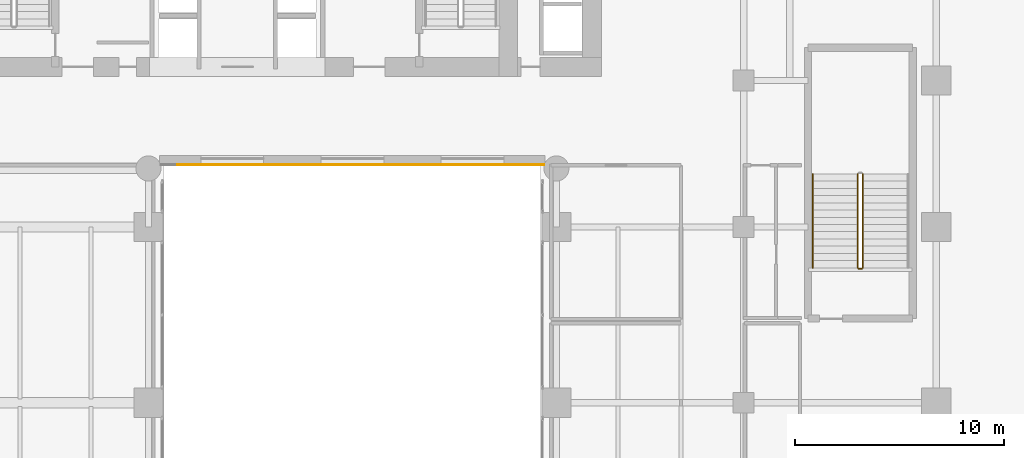
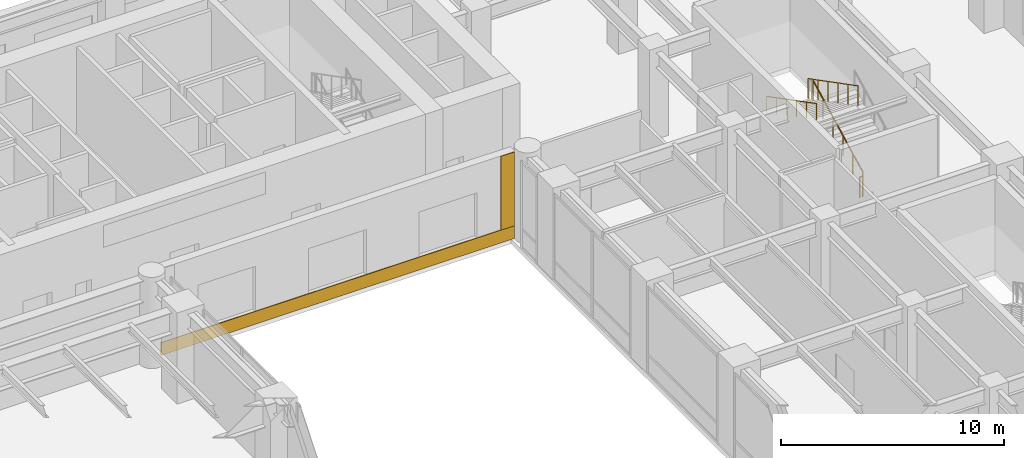
# One storey, part 19 of 24: 4 railings, 2 coverings.
"""IFC4 building model written with IfcOpenShell, lengths in metres."""

from ifc_helpers import new_model, si_unit, direction, frame, origin, origin_2d, place, context, subcontext, project, spatial, polyline, circle, outline, extrude, material, layer, layer_set, type_object, element, save


model = new_model("IFC4")

# Units and contexts
model_context = context("Model", 3, precision=1e-05, world=origin(), true_north=direction((0.0, 1.0)))
body_context = subcontext(model_context, "Body", "Model", "MODEL_VIEW")
ifc_project = project(units=[si_unit("LENGTHUNIT", "METRE"), si_unit("AREAUNIT", "SQUARE_METRE"), si_unit("VOLUMEUNIT", "CUBIC_METRE"), si_unit("PLANEANGLEUNIT", "RADIAN"), si_unit("MASSUNIT", "GRAM", prefix="KILO")], contexts=[model_context])

# Site, building, storey
site_placement = place(None, origin())
site = spatial("IfcSite", under=ifc_project, at=site_placement, CompositionType="ELEMENT")
building_placement = place(site_placement, origin())
building = spatial("IfcBuilding", under=site, at=building_placement, Name="Tolvann Quenvar Hotel", CompositionType="ELEMENT")
storey_placement = place(building_placement, frame((0.0, 0.0, 6.0)))
storey = spatial("IfcBuildingStorey", under=building, at=storey_placement, Name="L01", CompositionType="ELEMENT", Elevation=6.0)

# Coverings
ifc_material_1 = material(Name="Kiln-fired red architectural face brick cladding", Category="masonry")
ifc_layer_1 = layer(ifc_material_1, 0.0400390625)
ifc_layer_set_1 = layer_set([ifc_layer_1], Name="Kiln-fired red architectural face brick cladding")
covering_type_1 = type_object("IfcCoveringType", Name="COV_CLAD_BRICK_40", PredefinedType="CLADDING", material=ifc_layer_set_1)
covering_1_placement = place(storey_placement, frame((0.0, 0.0, 0.699951171875)))
element("IfcCovering", 1, at=covering_1_placement, inside=storey, type_object=covering_type_1, Name="Brick Pier Cladding (L01-E02-P2)", PredefinedType="CLADDING", context=body_context, shape_type="SweptSolid", body=[
    extrude(outline(polyline([(36.9599609375, 27.39990234375), (37.659912109375, 27.39990234375), (37.659912109375, 27.360107421875), (36.9599609375, 27.360107421875), (36.9599609375, 27.39990234375)])), origin(), (0.0, 0.0, 1.0), 4.0400390625),
])
ifc_material_2 = material(Name="Moulded buff architectural terracotta spandrel cladding", Category="masonry")
ifc_layer_2 = layer(ifc_material_2, 0.0400390625)
ifc_layer_set_2 = layer_set([ifc_layer_2], Name="Moulded buff architectural terracotta spandrel cladding")
covering_type_2 = type_object("IfcCoveringType", Name="COV_CLAD_TERRA_40", PredefinedType="CLADDING", material=ifc_layer_set_2)
covering_2_placement = place(storey_placement, origin())
element("IfcCovering", 2, at=covering_2_placement, inside=storey, type_object=covering_type_2, Name="Terracotta Spandrel Cladding (L01-E02)", PredefinedType="CLADDING", context=body_context, shape_type="SweptSolid", body=[
    extrude(outline(polyline([(19.330078125, 27.39990234375), (37.669921875, 27.39990234375), (37.669921875, 27.360107421875), (19.330078125, 27.360107421875), (19.330078125, 27.39990234375)])), origin(), (0.0, 0.0, 1.0), 0.699951171875),
])

# Railings
ifc_material_3 = material(Name="Brushed 316 stainless steel balustrade and handrail", Category="steel")
railing_type_1 = type_object("IfcRailingType", Name="GUARDRAIL", PredefinedType="GUARDRAIL", material=ifc_material_3)
railing_1_placement = place(storey_placement, frame((52.89990234375, 22.449951171875, 0.178466796875)))
element("IfcRailing", 3, at=railing_1_placement, inside=storey, type_object=railing_type_1, Name="L01 ST-P4 stair guard 1", PredefinedType="GUARDRAIL", context=body_context, shape_type="SweptSolid", body=[
    extrude(circle(Radius=0.02392578125, at=origin_2d()), frame((0.0, 0.0, 1.09619140625), z_axis=(0.0, 0.888084280779, 0.459680661147), x_axis=(-1.0, 0.0, 0.0)), (0.0, 0.0, 1.0), 5.05029296875),
    extrude(circle(Radius=0.02099609375, at=origin_2d()), origin(), (0.0, 0.0, 1.0), 1.072021484375),
    extrude(circle(Radius=0.02099609375, at=origin_2d()), frame((0.0, 0.89697265625, 0.46435546875)), (0.0, 0.0, 1.0), 1.072021484375),
    extrude(circle(Radius=0.02099609375, at=origin_2d()), frame((0.0, 1.7939453125, 0.9287109375)), (0.0, 0.0, 1.0), 1.072021484375),
    extrude(circle(Radius=0.02099609375, at=origin_2d()), frame((0.0, 2.691162109375, 1.392822265625)), (0.0, 0.0, 1.0), 1.072021484375),
    extrude(circle(Radius=0.02099609375, at=origin_2d()), frame((0.0, 3.588134765625, 1.857177734375)), (0.0, 0.0, 1.0), 1.072021484375),
    extrude(circle(Radius=0.02099609375, at=origin_2d()), frame((0.0, 4.485107421875, 2.321533203125)), (0.0, 0.0, 1.0), 1.072021484375),
])
railing_2_placement = place(storey_placement, frame((52.64990234375, 26.93505859375, 2.678466796875)))
element("IfcRailing", 4, at=railing_2_placement, inside=storey, type_object=railing_type_1, Name="L01 ST-P4 stair guard 3", PredefinedType="GUARDRAIL", context=body_context, shape_type="SweptSolid", body=[
    extrude(circle(Radius=0.02392578125, at=origin_2d()), frame((0.0, 0.0, 1.09619140625), z_axis=(0.0, -0.888084280779, 0.459680661147), x_axis=(1.0, 0.0, 0.0)), (0.0, 0.0, 1.0), 5.05029296875),
    extrude(circle(Radius=0.02099609375, at=origin_2d()), origin(), (0.0, 0.0, 1.0), 1.072021484375),
    extrude(circle(Radius=0.02099609375, at=origin_2d()), frame((0.0, -0.89697265625, 0.46435546875)), (0.0, 0.0, 1.0), 1.072021484375),
    extrude(circle(Radius=0.02099609375, at=origin_2d()), frame((0.0, -1.7939453125, 0.9287109375)), (0.0, 0.0, 1.0), 1.072021484375),
    extrude(circle(Radius=0.02099609375, at=origin_2d()), frame((0.0, -2.691162109375, 1.392822265625)), (0.0, 0.0, 1.0), 1.072021484375),
    extrude(circle(Radius=0.02099609375, at=origin_2d()), frame((0.0, -3.588134765625, 1.857177734375)), (0.0, 0.0, 1.0), 1.072021484375),
    extrude(circle(Radius=0.02099609375, at=origin_2d()), frame((0.0, -4.485107421875, 2.321533203125)), (0.0, 0.0, 1.0), 1.072021484375),
])
railing_3_placement = place(storey_placement, frame((52.85009765625, 22.39990234375, 0.0)))
element("IfcRailing", 5, at=railing_3_placement, inside=storey, type_object=railing_type_1, Name="L01 ST-P4 stair guard 4", PredefinedType="GUARDRAIL", context=body_context, shape_type="SweptSolid", body=[
    extrude(circle(Radius=0.02392578125, at=origin_2d()), frame((0.0, 0.0, 1.09619140625), z_axis=(-1.0, 0.0, 0.0), x_axis=(0.0, -1.0, 0.0)), (0.0, 0.0, 1.0), 0.150146484375),
    extrude(circle(Radius=0.02099609375, at=origin_2d()), origin(), (0.0, 0.0, 1.0), 1.072021484375),
    extrude(circle(Radius=0.02099609375, at=origin_2d()), frame((-0.150146484375, 0.0, 0.0)), (0.0, 0.0, 1.0), 1.072021484375),
])
railing_type_2 = type_object("IfcRailingType", Name="HANDRAIL", PredefinedType="HANDRAIL", material=ifc_material_3)
railing_4_placement = place(storey_placement, frame((50.5, 26.93505859375, 2.678466796875)))
element("IfcRailing", 6, at=railing_4_placement, inside=storey, type_object=railing_type_2, Name="L01 ST-P4 stair handrail 2", PredefinedType="HANDRAIL", context=body_context, shape_type="SweptSolid", body=[
    extrude(circle(Radius=0.02392578125, at=origin_2d()), frame((0.0, 0.0, 0.8759765625), z_axis=(0.0, -0.888084280779, 0.459680661147), x_axis=(1.0, 0.0, 0.0)), (0.0, 0.0, 1.0), 5.05029296875),
    extrude(circle(Radius=0.02099609375, at=origin_2d()), origin(), (0.0, 0.0, 1.0), 0.851806640625),
    extrude(circle(Radius=0.02099609375, at=origin_2d()), frame((0.0, -0.89697265625, 0.46435546875)), (0.0, 0.0, 1.0), 0.851806640625),
    extrude(circle(Radius=0.02099609375, at=origin_2d()), frame((0.0, -1.7939453125, 0.9287109375)), (0.0, 0.0, 1.0), 0.851806640625),
    extrude(circle(Radius=0.02099609375, at=origin_2d()), frame((0.0, -2.691162109375, 1.392822265625)), (0.0, 0.0, 1.0), 0.851806640625),
    extrude(circle(Radius=0.02099609375, at=origin_2d()), frame((0.0, -3.588134765625, 1.857177734375)), (0.0, 0.0, 1.0), 0.851806640625),
    extrude(circle(Radius=0.02099609375, at=origin_2d()), frame((0.0, -4.485107421875, 2.321533203125)), (0.0, 0.0, 1.0), 0.851806640625),
])

save(model, "model.ifc")
